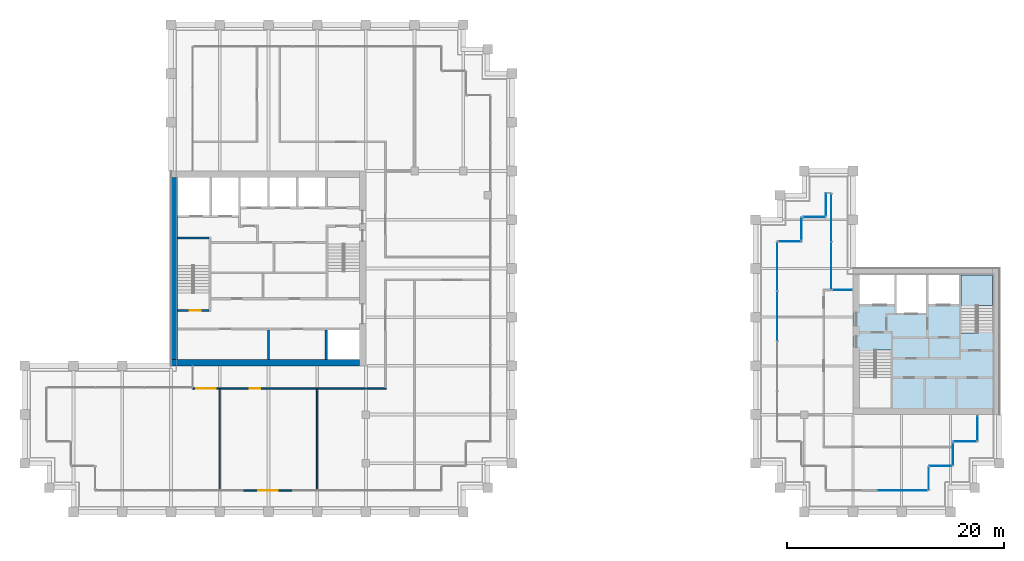
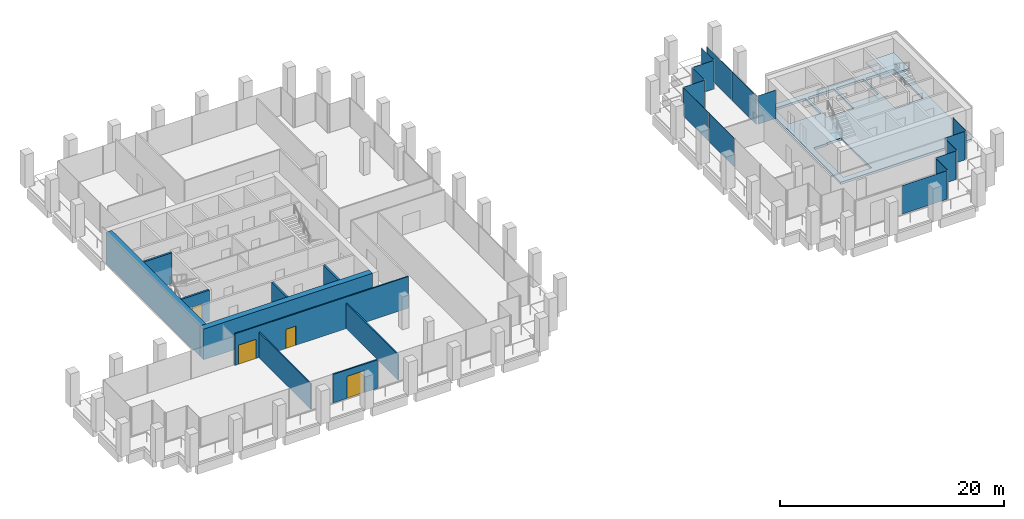
# One storey, part 35 of 40: 15 plates, 10 walls, 4 doors, 2 slabs, 4 openings, 14 elements without a shape of their own.
"""IFC4 building model written with IfcOpenShell, lengths in metres."""

from ifc_helpers import new_model, si_unit, direction, frame, frame_2d, origin, origin_2d, place, context, subcontext, project, spatial, polyline, rectangle, outline, extrude, material, layer, layer_set, type_object, element, fill, aggregate, save


model = new_model("IFC4")

# Units and contexts
model_context = context("Model", 3, precision=1e-05, world=origin(), true_north=direction((0.0, 1.0)))
body_context = subcontext(model_context, "Body", "Model", "MODEL_VIEW")
ifc_project = project(units=[si_unit("LENGTHUNIT", "METRE"), si_unit("AREAUNIT", "SQUARE_METRE"), si_unit("VOLUMEUNIT", "CUBIC_METRE"), si_unit("PLANEANGLEUNIT", "RADIAN"), si_unit("MASSUNIT", "GRAM", prefix="KILO")], contexts=[model_context])

# Site, building, storey
site_placement = place(None, origin())
site = spatial("IfcSite", under=ifc_project, at=site_placement, CompositionType="ELEMENT")
building_placement = place(site_placement, origin())
building = spatial("IfcBuilding", under=site, at=building_placement, Name="Altepetl Exchange Towers", CompositionType="ELEMENT")
storey_placement = place(building_placement, frame((0.0, 0.0, 154.60009765625)))
storey = spatial("IfcBuildingStorey", under=building, at=storey_placement, Name="L38", CompositionType="ELEMENT", Elevation=154.60009765625)

# Slab
ifc_material_1 = material(Name="Concrete C40/50", Category="concrete")
ifc_layer_1 = layer(ifc_material_1, 0.25)
ifc_layer_set_1 = layer_set([ifc_layer_1], Name="Concrete C40/50")
slab_type_1 = type_object("IfcSlabType", Name="Core floor slab 250", PredefinedType="FLOOR", material=ifc_layer_set_1)
slab_1_placement = place(storey_placement, frame((0.0, 0.0, -0.25)))
element("IfcSlab", 1, at=slab_1_placement, inside=storey, type_object=slab_type_1, Name="slab:B:L38:core0", PredefinedType="FLOOR", context=body_context, shape_type="SweptSolid", body=[
    extrude(outline(polyline([(103.5, 36.0), (117.0, 36.0), (117.0, 49.5), (103.5, 49.5), (103.5, 36.0)]), holes=[polyline([(107.0, 36.60009765625), (104.10009765625, 36.60009765625), (104.10009765625, 41.85009765625), (105.5, 41.85009765625), (105.5, 41.948974609375), (107.0, 41.948974609375), (107.0, 36.60009765625)]), polyline([(113.5, 48.89990234375), (116.39990234375, 48.89990234375), (116.39990234375, 43.64990234375), (115.0, 43.64990234375), (115.0, 43.551025390625), (113.5, 43.551025390625), (113.5, 48.89990234375)]), polyline([(107.532958984375, 45.39990234375), (107.532958984375, 48.89990234375), (110.26708984375, 48.89990234375), (110.26708984375, 45.39990234375), (107.532958984375, 45.39990234375)]), polyline([(104.10009765625, 48.89990234375), (107.3330078125, 48.89990234375), (107.3330078125, 46.199951171875), (104.10009765625, 46.199951171875), (104.10009765625, 48.89990234375)]), polyline([(110.467041015625, 48.89990234375), (113.300048828125, 48.89990234375), (113.300048828125, 46.199951171875), (110.467041015625, 46.199951171875), (110.467041015625, 48.89990234375)])]), origin(), (0.0, 0.0, 1.0), 0.25),
])

# Curtain wall, plate
ifc_material_2 = material(Name="Aluminium 6063-T6 glazing", Category="aluminium")
curtain_wall_type = type_object("IfcCurtainWallType", Name="Loggia glazing system", PredefinedType="NOTDEFINED", material=ifc_material_2)
curtain_wall_1_placement = place(storey_placement, origin())
curtain_wall_1 = element("IfcCurtainWall", 2, at=curtain_wall_1_placement, inside=storey, type_object=curtain_wall_type, Name="CW1 run", PredefinedType="NOTDEFINED")
ifc_material_3 = material(Name="Glass 6-16-6 low emissivity", Category="glass")
ifc_layer_2 = layer(ifc_material_3, 0.028076171875)
ifc_layer_set_2 = layer_set([ifc_layer_2], Name="Glass 6-16-6 low emissivity")
plate_type = type_object("IfcPlateType", Name="Glass panel 28 double glazed", PredefinedType="CURTAIN_PANEL", material=ifc_layer_set_2)
plate_1_placement = place(storey_placement, frame((108.06884765625, 29.0, -0.000244140625)))
plate_1 = element("IfcPlate", 3, at=plate_1_placement, type_object=plate_type, Name="GP1 panel", PredefinedType="CURTAIN_PANEL", context=body_context, shape_type="SweptSolid", body=[
    extrude(rectangle(XDim=4.592529296875, YDim=0.028076171875, at=origin_2d()), origin(), (0.0, 0.0, 1.0), 3.10009765625),
])
aggregate(curtain_wall_1, [plate_1])

curtain_wall_2_placement = place(storey_placement, origin())
curtain_wall_2 = element("IfcCurtainWall", 4, at=curtain_wall_2_placement, inside=storey, type_object=curtain_wall_type, Name="CW1 run", PredefinedType="NOTDEFINED")
plate_2_placement = place(storey_placement, frame((110.5, 30.08740234375, -0.000244140625), z_axis=(0.0, 0.0, 1.0), x_axis=(0.0, 1.0, 0.0)))
plate_2 = element("IfcPlate", 5, at=plate_2_placement, type_object=plate_type, Name="GP1 panel", PredefinedType="CURTAIN_PANEL", context=body_context, shape_type="SweptSolid", body=[
    extrude(rectangle(XDim=2.054931640625, YDim=0.028076171875, at=origin_2d()), origin(), (0.0, 0.0, 1.0), 3.10009765625),
])
aggregate(curtain_wall_2, [plate_2])

curtain_wall_3_placement = place(storey_placement, origin())
curtain_wall_3 = element("IfcCurtainWall", 6, at=curtain_wall_3_placement, inside=storey, type_object=curtain_wall_type, Name="CW1 run", PredefinedType="NOTDEFINED")
plate_3_placement = place(storey_placement, frame((111.58740234375, 31.25, -0.000244140625)))
plate_3 = element("IfcPlate", 7, at=plate_3_placement, type_object=plate_type, Name="GP1 panel", PredefinedType="CURTAIN_PANEL", context=body_context, shape_type="SweptSolid", body=[
    extrude(rectangle(XDim=2.054931640625, YDim=0.028076171875, at=origin_2d()), origin(), (0.0, 0.0, 1.0), 3.10009765625),
])
aggregate(curtain_wall_3, [plate_3])

curtain_wall_4_placement = place(storey_placement, origin())
curtain_wall_4 = element("IfcCurtainWall", 8, at=curtain_wall_4_placement, inside=storey, type_object=curtain_wall_type, Name="CW1 run", PredefinedType="NOTDEFINED")
plate_4_placement = place(storey_placement, frame((112.75, 32.33740234375, -0.000244140625), z_axis=(0.0, 0.0, 1.0), x_axis=(0.0, 1.0, 0.0)))
plate_4 = element("IfcPlate", 9, at=plate_4_placement, type_object=plate_type, Name="GP1 panel", PredefinedType="CURTAIN_PANEL", context=body_context, shape_type="SweptSolid", body=[
    extrude(rectangle(XDim=2.054931640625, YDim=0.028076171875, at=origin_2d()), origin(), (0.0, 0.0, 1.0), 3.10009765625),
])
aggregate(curtain_wall_4, [plate_4])

curtain_wall_5_placement = place(storey_placement, origin())
curtain_wall_5 = element("IfcCurtainWall", 10, at=curtain_wall_5_placement, inside=storey, type_object=curtain_wall_type, Name="CW1 run", PredefinedType="NOTDEFINED")
plate_5_placement = place(storey_placement, frame((113.83740234375, 33.5, -0.000244140625)))
plate_5 = element("IfcPlate", 11, at=plate_5_placement, type_object=plate_type, Name="GP1 panel", PredefinedType="CURTAIN_PANEL", context=body_context, shape_type="SweptSolid", body=[
    extrude(rectangle(XDim=2.054931640625, YDim=0.028076171875, at=origin_2d()), origin(), (0.0, 0.0, 1.0), 3.10009765625),
])
aggregate(curtain_wall_5, [plate_5])

curtain_wall_6_placement = place(storey_placement, origin())
curtain_wall_6 = element("IfcCurtainWall", 12, at=curtain_wall_6_placement, inside=storey, type_object=curtain_wall_type, Name="CW1 run", PredefinedType="NOTDEFINED")
plate_6_placement = place(storey_placement, frame((115.0, 34.71240234375, -0.000244140625), z_axis=(0.0, 0.0, 1.0), x_axis=(0.0, 1.0, 0.0)))
plate_6 = element("IfcPlate", 13, at=plate_6_placement, type_object=plate_type, Name="GP1 panel", PredefinedType="CURTAIN_PANEL", context=body_context, shape_type="SweptSolid", body=[
    extrude(rectangle(XDim=2.304931640625, YDim=0.028076171875, at=origin_2d()), origin(), (0.0, 0.0, 1.0), 3.10009765625),
])
aggregate(curtain_wall_6, [plate_6])

curtain_wall_7_placement = place(storey_placement, origin())
curtain_wall_7 = element("IfcCurtainWall", 14, at=curtain_wall_7_placement, inside=storey, type_object=curtain_wall_type, Name="CW1 run", PredefinedType="NOTDEFINED")
plate_7_placement = place(storey_placement, frame((102.53759765625, 47.5, -0.000244140625), z_axis=(0.0, 0.0, 1.0), x_axis=(-1.0, 0.0, 0.0)))
plate_7 = element("IfcPlate", 15, at=plate_7_placement, type_object=plate_type, Name="GP1 panel", PredefinedType="CURTAIN_PANEL", context=body_context, shape_type="SweptSolid", body=[
    extrude(rectangle(XDim=1.804931640625, YDim=0.028076171875, at=origin_2d()), origin(), (0.0, 0.0, 1.0), 3.10009765625),
])
aggregate(curtain_wall_7, [plate_7])

# Curtain wall, plates
curtain_wall_8_placement = place(storey_placement, origin())
curtain_wall_8 = element("IfcCurtainWall", 16, at=curtain_wall_8_placement, inside=storey, type_object=curtain_wall_type, Name="CW1 run", PredefinedType="NOTDEFINED")
plate_8_placement = place(storey_placement, frame((101.5, 49.746337890625, -0.000244140625), z_axis=(0.0, 0.0, 1.0), x_axis=(0.0, 1.0, 0.0)))
plate_8 = element("IfcPlate", 17, at=plate_8_placement, type_object=plate_type, Name="GP1 panel", PredefinedType="CURTAIN_PANEL", context=body_context, shape_type="SweptSolid", body=[
    extrude(rectangle(XDim=4.37255859375, YDim=0.028076171875, at=origin_2d()), origin(), (0.0, 0.0, 1.0), 3.10009765625),
])
plate_9_placement = place(storey_placement, frame((101.5, 54.1787109375, -0.000244140625), z_axis=(0.0, 0.0, 1.0), x_axis=(0.0, 1.0, 0.0)))
plate_9 = element("IfcPlate", 18, at=plate_9_placement, type_object=plate_type, Name="GP1 panel", PredefinedType="CURTAIN_PANEL", context=body_context, shape_type="SweptSolid", body=[
    extrude(rectangle(XDim=4.37255859375, YDim=0.028076171875, at=origin_2d()), origin(), (0.0, 0.0, 1.0), 3.10009765625),
])
aggregate(curtain_wall_8, [plate_8, plate_9])

# Curtain wall, plate
curtain_wall_9_placement = place(storey_placement, origin())
curtain_wall_9 = element("IfcCurtainWall", 19, at=curtain_wall_9_placement, inside=storey, type_object=curtain_wall_type, Name="CW1 run", PredefinedType="NOTDEFINED")
plate_10_placement = place(storey_placement, frame((101.0, 55.41259765625, -0.000244140625), z_axis=(0.0, 0.0, 1.0), x_axis=(0.0, -1.0, 0.0)))
plate_10 = element("IfcPlate", 20, at=plate_10_placement, type_object=plate_type, Name="GP1 panel", PredefinedType="CURTAIN_PANEL", context=body_context, shape_type="SweptSolid", body=[
    extrude(rectangle(XDim=2.054931640625, YDim=0.028076171875, at=origin_2d()), origin(), (0.0, 0.0, 1.0), 3.10009765625),
])
aggregate(curtain_wall_9, [plate_10])

curtain_wall_10_placement = place(storey_placement, origin())
curtain_wall_10 = element("IfcCurtainWall", 21, at=curtain_wall_10_placement, inside=storey, type_object=curtain_wall_type, Name="CW1 run", PredefinedType="NOTDEFINED")
plate_11_placement = place(storey_placement, frame((99.91259765625, 54.25, -0.000244140625), z_axis=(0.0, 0.0, 1.0), x_axis=(-1.0, 0.0, 0.0)))
plate_11 = element("IfcPlate", 22, at=plate_11_placement, type_object=plate_type, Name="GP1 panel", PredefinedType="CURTAIN_PANEL", context=body_context, shape_type="SweptSolid", body=[
    extrude(rectangle(XDim=2.054931640625, YDim=0.028076171875, at=origin_2d()), origin(), (0.0, 0.0, 1.0), 3.10009765625),
])
aggregate(curtain_wall_10, [plate_11])

curtain_wall_11_placement = place(storey_placement, origin())
curtain_wall_11 = element("IfcCurtainWall", 23, at=curtain_wall_11_placement, inside=storey, type_object=curtain_wall_type, Name="CW1 run", PredefinedType="NOTDEFINED")
plate_12_placement = place(storey_placement, frame((98.75, 53.16259765625, -0.000244140625), z_axis=(0.0, 0.0, 1.0), x_axis=(0.0, -1.0, 0.0)))
plate_12 = element("IfcPlate", 24, at=plate_12_placement, type_object=plate_type, Name="GP1 panel", PredefinedType="CURTAIN_PANEL", context=body_context, shape_type="SweptSolid", body=[
    extrude(rectangle(XDim=2.054931640625, YDim=0.028076171875, at=origin_2d()), origin(), (0.0, 0.0, 1.0), 3.10009765625),
])
aggregate(curtain_wall_11, [plate_12])

curtain_wall_12_placement = place(storey_placement, origin())
curtain_wall_12 = element("IfcCurtainWall", 25, at=curtain_wall_12_placement, inside=storey, type_object=curtain_wall_type, Name="CW1 run", PredefinedType="NOTDEFINED")
plate_13_placement = place(storey_placement, frame((97.66259765625, 52.0, -0.000244140625), z_axis=(0.0, 0.0, 1.0), x_axis=(-1.0, 0.0, 0.0)))
plate_13 = element("IfcPlate", 26, at=plate_13_placement, type_object=plate_type, Name="GP1 panel", PredefinedType="CURTAIN_PANEL", context=body_context, shape_type="SweptSolid", body=[
    extrude(rectangle(XDim=2.054931640625, YDim=0.028076171875, at=origin_2d()), origin(), (0.0, 0.0, 1.0), 3.10009765625),
])
aggregate(curtain_wall_12, [plate_13])

# Curtain wall, plates
curtain_wall_13_placement = place(storey_placement, origin())
curtain_wall_13 = element("IfcCurtainWall", 27, at=curtain_wall_13_placement, inside=storey, type_object=curtain_wall_type, Name="CW1 run", PredefinedType="NOTDEFINED")
plate_14_placement = place(storey_placement, frame((96.5, 49.681884765625, -0.000244140625), z_axis=(0.0, 0.0, 1.0), x_axis=(0.0, -1.0, 0.0)))
plate_14 = element("IfcPlate", 28, at=plate_14_placement, type_object=plate_type, Name="GP1 panel", PredefinedType="CURTAIN_PANEL", context=body_context, shape_type="SweptSolid", body=[
    extrude(rectangle(XDim=4.516357421875, YDim=0.028076171875, at=origin_2d()), origin(), (0.0, 0.0, 1.0), 3.10009765625),
])
plate_15_placement = place(storey_placement, frame((96.5, 45.090576171875, -0.000244140625), z_axis=(0.0, 0.0, 1.0), x_axis=(0.0, -1.0, 0.0)))
plate_15 = element("IfcPlate", 29, at=plate_15_placement, type_object=plate_type, Name="GP1 panel", PredefinedType="CURTAIN_PANEL", context=body_context, shape_type="SweptSolid", body=[
    extrude(rectangle(XDim=4.546142578125, YDim=0.028076171875, at=origin_2d()), origin(), (0.0, 0.0, 1.0), 3.10009765625),
])
aggregate(curtain_wall_13, [plate_14, plate_15])

# Stair, slab
stair_type = type_object("IfcStairType", Name="Exit stair 1400 flights dogleg", PredefinedType="HALF_TURN_STAIR", material=ifc_material_1)
stair_placement = place(storey_placement, origin())
stair = element("IfcStair", 30, at=stair_placement, inside=storey, type_object=stair_type, Name="Exit stair 2", PredefinedType="HALF_TURN_STAIR")
ifc_layer_3 = layer(ifc_material_1, 0.199951171875)
ifc_layer_set_3 = layer_set([ifc_layer_3], Name="Concrete C40/50")
slab_type_2 = type_object("IfcSlabType", Name="Stair landing 200 reinforced concrete", PredefinedType="LANDING", material=ifc_layer_set_3)
slab_2_placement = place(storey_placement, frame((0.0, 0.0, 1.599853515625)))
slab_2 = element("IfcSlab", 31, at=slab_2_placement, type_object=slab_type_2, Name="ST-B2e landing 1", PredefinedType="LANDING", context=body_context, shape_type="SweptSolid", body=[
    extrude(outline(polyline([(114.89990234375, 45.969970703125), (113.5, 45.969970703125), (113.5, 46.070068359375), (113.5, 48.89990234375), (116.39990234375, 48.89990234375), (116.39990234375, 46.070068359375), (116.39990234375, 46.0693359375), (115.0, 46.0693359375), (115.0, 46.070068359375), (114.89990234375, 46.070068359375), (114.89990234375, 45.969970703125)])), origin(), (0.0, 0.0, 1.0), 0.199951171875),
])
aggregate(stair, [slab_2])

# Walls
ifc_material_4 = material(Name="Concrete C70/85", Category="concrete")
ifc_layer_4 = layer(ifc_material_4, 0.60009765625)
ifc_layer_set_4 = layer_set([ifc_layer_4], Name="Concrete C70/85")
wall_type_1 = type_object("IfcWallType", Name="Core wall 600 reinforced concrete", PredefinedType="SHEAR", material=ifc_layer_set_4)
wall_1_placement = place(storey_placement, frame((40.5, 40.800048828125, 0.0)))
element("IfcWall", 32, at=wall_1_placement, inside=storey, type_object=wall_type_1, Name="wall:A:L38:K-coreS", PredefinedType="SHEAR", context=body_context, shape_type="SweptSolid", body=[
    extrude(rectangle(XDim=17.39990234375, YDim=0.60009765625, at=frame_2d((8.699951171875, 0.0))), origin(), (0.0, 0.0, 1.0), 3.349853515625),
])
ifc_layer_5 = layer(ifc_material_4, 0.60009765625)
ifc_layer_set_5 = layer_set([ifc_layer_5], Name="Concrete C70/85")
wall_type_2 = type_object("IfcWallType", Name="Core wall 600 reinforced concrete external", PredefinedType="SHEAR", material=ifc_layer_set_5)
wall_2_placement = place(storey_placement, frame((40.800048828125, 41.10009765625, 0.0), z_axis=(0.0, 0.0, 1.0), x_axis=(0.0, 1.0, 0.0)))
element("IfcWall", 33, at=wall_2_placement, inside=storey, type_object=wall_type_2, Name="wall:A:L38:K-coreW", PredefinedType="SHEAR", context=body_context, shape_type="SweptSolid", body=[
    extrude(rectangle(XDim=16.7998046875, YDim=0.60009765625, at=frame_2d((8.39990234375, 0.0))), origin(), (0.0, 0.0, 1.0), 3.349853515625),
])

# Wall, opening, door
ifc_material_5 = material(Name="Aluminium composite cladding", Category="aluminium")
ifc_layer_6 = layer(ifc_material_5, 0.14990234375)
ifc_layer_set_6 = layer_set([ifc_layer_6], Name="Aluminium composite cladding")
wall_type_3 = type_object("IfcWallType", Name="Infill wall 150 aluminium panel", PredefinedType="SOLIDWALL", material=ifc_layer_set_6)
wall_3_placement = place(storey_placement, frame((47.18212890625, 29.0, 0.0)))
wall_3 = element("IfcWall", 34, at=wall_3_placement, inside=storey, type_object=wall_type_3, Name="Loggia door bay wall", PredefinedType="SOLIDWALL", context=body_context, shape_type="SweptSolid", body=[
    extrude(rectangle(XDim=4.560791015625, YDim=0.14990234375, at=frame_2d((2.2802734375, 0.0))), origin(), (0.0, 0.0, 1.0), 3.099853515625),
])
opening_1_placement = place(wall_3_placement, frame((1.38037109375, 0.0, 0.0)))
opening_1 = element("IfcOpeningElement", 35, at=opening_1_placement, cuts=wall_3, Name="Opening L38.A90", PredefinedType="OPENING", context=body_context, shape_type="SweptSolid", body=[
    extrude(rectangle(XDim=1.800048828125, YDim=2.39990234375, at=frame_2d((0.89990234375, 1.199951171875))), frame((0.0, 0.0849609375, 0.0), z_axis=(0.0, -1.0, 0.0), x_axis=(1.0, 0.0, 0.0)), (0.0, 0.0, 1.0), 0.169921875),
])
ifc_material_6 = material(Name="Aluminium 6063-T6 and glass", Category="aluminium")
door_type_1 = type_object("IfcDoorType", Name="Glazed door pair 1800x2400", OperationType="DOUBLE_DOOR_DOUBLE_SWING", PredefinedType="NOTDEFINED", material=ifc_material_6)
door_1_placement = place(opening_1_placement, frame((1.800048828125, 0.0, 0.0), x_axis=(-1.0, 0.0, 0.0)))
door_1 = element("IfcDoor", 36, at=door_1_placement, inside=storey, type_object=door_type_1, Name="Loggia door", OperationType="DOUBLE_DOOR_DOUBLE_SWING", OverallHeight=2.39990234375, OverallWidth=1.800048828125, PredefinedType="NOTDEFINED", context=body_context, shape_type="SweptSolid", body=[
    extrude(rectangle(XDim=1.800048828125, YDim=2.39990234375, at=frame_2d((0.89990234375, 1.199951171875))), frame((0.0, 0.02490234375, 0.0), z_axis=(0.0, -1.0, 0.0), x_axis=(1.0, 0.0, 0.0)), (0.0, 0.0, 1.0), 0.050048828125),
])
fill(opening_1, door_1)

# Wall, openings, doors
ifc_material_7 = material(Name="Gypsum board on steel studs", Category="steel")
ifc_layer_7 = layer(ifc_material_7, 0.125)
ifc_layer_set_7 = layer_set([ifc_layer_7], Name="Gypsum board on steel studs")
wall_type_4 = type_object("IfcWallType", Name="Partition 125 gypsum board on steel studs", PredefinedType="PARTITIONING", material=ifc_layer_set_7)
wall_4_placement = place(storey_placement, frame((42.5, 38.39990234375, 0.0)))
wall_4 = element("IfcWall", 37, at=wall_4_placement, inside=storey, type_object=wall_type_4, Name="wall:A:L38:P01", PredefinedType="PARTITIONING", context=body_context, shape_type="SweptSolid", body=[
    extrude(rectangle(XDim=17.862548828125, YDim=0.125, at=frame_2d((8.93115234375, 0.0))), origin(), (0.0, 0.0, 1.0), 3.449951171875),
])
opening_2_placement = place(wall_4_placement, frame((0.35009765625, 0.0, 0.0)))
opening_2 = element("IfcOpeningElement", 38, at=opening_2_placement, cuts=wall_4, Name="Opening L38.A01", PredefinedType="OPENING", context=body_context, shape_type="SweptSolid", body=[
    extrude(rectangle(XDim=1.800048828125, YDim=2.10009765625, at=frame_2d((0.89990234375, 1.050048828125))), frame((0.0, 0.072509765625, 0.0), z_axis=(0.0, -1.0, 0.0), x_axis=(1.0, 0.0, 0.0)), (0.0, 0.0, 1.0), 0.14501953125),
])
opening_3_placement = place(wall_4_placement, frame((5.258056640625, 0.0, 0.0)))
opening_3 = element("IfcOpeningElement", 39, at=opening_3_placement, cuts=wall_4, Name="Opening L38.A02", PredefinedType="OPENING", context=body_context, shape_type="SweptSolid", body=[
    extrude(rectangle(XDim=1.0, YDim=2.10009765625, at=frame_2d((0.5, 1.050048828125))), frame((0.0, 0.072509765625, 0.0), z_axis=(0.0, -1.0, 0.0), x_axis=(1.0, 0.0, 0.0)), (0.0, 0.0, 1.0), 0.14501953125),
])
ifc_material_8 = material(Name="Steel and timber fire door", Category="steel")
door_type_2 = type_object("IfcDoorType", Name="Fire door 1000 x 2100 single leaf", OperationType="SINGLE_SWING_LEFT", PredefinedType="DOOR", material=ifc_material_8)
door_2_placement = place(opening_3_placement, frame((1.0, 0.0, 0.0), x_axis=(-1.0, 0.0, 0.0)))
door_2 = element("IfcDoor", 40, at=door_2_placement, inside=storey, type_object=door_type_2, Name="door:A:L38:02", OperationType="SINGLE_SWING_RIGHT", OverallHeight=2.10009765625, OverallWidth=1.0, PredefinedType="DOOR", context=body_context, shape_type="SweptSolid", body=[
    extrude(rectangle(XDim=1.0, YDim=2.10009765625, at=frame_2d((0.5, 1.050048828125))), frame((0.0, 0.02490234375, 0.0), z_axis=(0.0, -1.0, 0.0), x_axis=(1.0, 0.0, 0.0)), (0.0, 0.0, 1.0), 0.050048828125),
])
fill(opening_3, door_2)
door_type_3 = type_object("IfcDoorType", Name="Fire door 1800 x 2100 double leaf", OperationType="DOUBLE_DOOR_SINGLE_SWING", PredefinedType="DOOR", material=ifc_material_8)
door_3_placement = place(opening_2_placement, frame((1.800048828125, 0.0, 0.0), x_axis=(-1.0, 0.0, 0.0)))
door_3 = element("IfcDoor", 41, at=door_3_placement, inside=storey, type_object=door_type_3, Name="door:A:L38:01", OperationType="DOUBLE_DOOR_SINGLE_SWING", OverallHeight=2.10009765625, OverallWidth=1.800048828125, PredefinedType="DOOR", context=body_context, shape_type="SweptSolid", body=[
    extrude(rectangle(XDim=1.800048828125, YDim=2.10009765625, at=frame_2d((0.89990234375, 1.050048828125))), frame((0.0, 0.02490234375, 0.0), z_axis=(0.0, -1.0, 0.0), x_axis=(1.0, 0.0, 0.0)), (0.0, 0.0, 1.0), 0.050048828125),
])
fill(opening_2, door_3)

# Walls
for number, where, z_axis, x_axis, name in (
    (42, (45.0, 29.10009765625, 0.0), (0.0, 0.0, 1.0), (0.0, 1.0, 0.0), "wall:A:L38:P07"),
    (43, (54.0, 29.10009765625, 0.0), (0.0, 0.0, 1.0), (0.0, 1.0, 0.0), "wall:A:L38:P10"),
):
    element("IfcWall", number, at=place(storey_placement, frame(where, z_axis=z_axis, x_axis=x_axis)), inside=storey, type_object=wall_type_4, Name=name, PredefinedType="PARTITIONING", context=body_context, shape_type="SweptSolid", body=[
        extrude(rectangle(XDim=9.2998046875, YDim=0.125, at=frame_2d((4.64990234375, 0.0))), origin(), (0.0, 0.0, 1.0), 2.765869140625),
    ])
ifc_layer_8 = layer(ifc_material_1, 0.199951171875)
ifc_layer_set_8 = layer_set([ifc_layer_8], Name="Concrete C40/50")
wall_type_5 = type_object("IfcWallType", Name="Shaft wall 200 reinforced concrete", PredefinedType="SHEAR", material=ifc_layer_set_8)
wall_5_placement = place(storey_placement, frame((54.833251953125, 41.10009765625, 0.0), z_axis=(0.0, 0.0, 1.0), x_axis=(0.0, 1.0, 0.0)))
element("IfcWall", 44, at=wall_5_placement, inside=storey, type_object=wall_type_5, Name="wall:A:L38:K-divS5", PredefinedType="SHEAR", context=body_context, shape_type="SweptSolid", body=[
    extrude(rectangle(XDim=2.699951171875, YDim=0.199951171875, at=frame_2d((1.35009765625, 0.0))), origin(), (0.0, 0.0, 1.0), 3.349853515625),
])
ifc_layer_9 = layer(ifc_material_4, 0.199951171875)
ifc_layer_set_9 = layer_set([ifc_layer_9], Name="Concrete C70/85")
wall_type_6 = type_object("IfcWallType", Name="Shear wall 200 reinforced concrete", PredefinedType="SHEAR", material=ifc_layer_set_9)
wall_6_placement = place(storey_placement, frame((49.5, 41.10009765625, 0.0), z_axis=(0.0, 0.0, 1.0), x_axis=(0.0, 1.0, 0.0)))
element("IfcWall", 45, at=wall_6_placement, inside=storey, type_object=wall_type_6, Name="wall:A:L38:K-divS3", PredefinedType="SHEAR", context=body_context, shape_type="SweptSolid", body=[
    extrude(rectangle(XDim=2.699951171875, YDim=0.199951171875, at=frame_2d((1.35009765625, 0.0))), origin(), (0.0, 0.0, 1.0), 3.349853515625),
])
ifc_layer_10 = layer(ifc_material_1, 0.199951171875)
ifc_layer_set_10 = layer_set([ifc_layer_10], Name="Concrete C40/50")
wall_type_7 = type_object("IfcWallType", Name="Stair wall 200 reinforced concrete", PredefinedType="SHEAR", material=ifc_layer_set_10)
wall_7_placement = place(storey_placement, frame((41.10009765625, 52.300048828125, 0.0)))
element("IfcWall", 46, at=wall_7_placement, inside=storey, type_object=wall_type_7, Name="wall:A:L38:K-stS1N", PredefinedType="SHEAR", context=body_context, shape_type="SweptSolid", body=[
    extrude(rectangle(XDim=2.89990234375, YDim=0.199951171875, at=frame_2d((1.449951171875, 0.0))), origin(), (0.0, 0.0, 1.0), 3.349853515625),
])

# Wall, opening, door
wall_8_placement = place(storey_placement, frame((41.10009765625, 45.60009765625, 0.0)))
wall_8 = element("IfcWall", 47, at=wall_8_placement, inside=storey, type_object=wall_type_7, Name="wall:A:L38:K-stS1S", PredefinedType="SHEAR", context=body_context, shape_type="SweptSolid", body=[
    extrude(rectangle(XDim=2.89990234375, YDim=0.199951171875, at=frame_2d((1.449951171875, 0.0))), origin(), (0.0, 0.0, 1.0), 3.349853515625),
])
opening_4_placement = place(wall_8_placement, frame((1.14990234375, 0.0, 0.0)))
opening_4 = element("IfcOpeningElement", 48, at=opening_4_placement, cuts=wall_8, Name="Opening L38.A62", PredefinedType="OPENING", context=body_context, shape_type="SweptSolid", body=[
    extrude(rectangle(XDim=1.0, YDim=2.10009765625, at=frame_2d((0.5, 1.050048828125))), frame((0.0, 0.10986328125, 0.0), z_axis=(0.0, -1.0, 0.0), x_axis=(1.0, 0.0, 0.0)), (0.0, 0.0, 1.0), 0.219970703125),
])
door_type_4 = type_object("IfcDoorType", Name="Fire door 1000 x 2100 stair and lobby", OperationType="SINGLE_SWING_LEFT", PredefinedType="DOOR", material=ifc_material_8)
door_4_placement = place(opening_4_placement, origin())
door_4 = element("IfcDoor", 49, at=door_4_placement, inside=storey, type_object=door_type_4, Name="door:A:L38:K-dS1in", OperationType="SINGLE_SWING_RIGHT", OverallHeight=2.10009765625, OverallWidth=1.0, PredefinedType="DOOR", context=body_context, shape_type="SweptSolid", body=[
    extrude(rectangle(XDim=1.0, YDim=2.10009765625, at=frame_2d((0.5, 1.050048828125))), frame((0.0, 0.02490234375, 0.0), z_axis=(0.0, -1.0, 0.0), x_axis=(1.0, 0.0, 0.0)), (0.0, 0.0, 1.0), 0.050048828125),
])
fill(opening_4, door_4)

save(model, "model.ifc")
